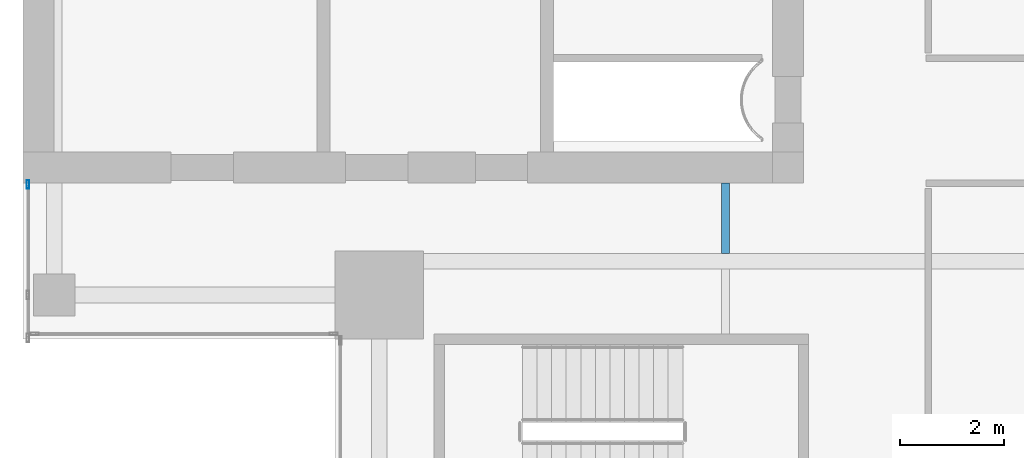
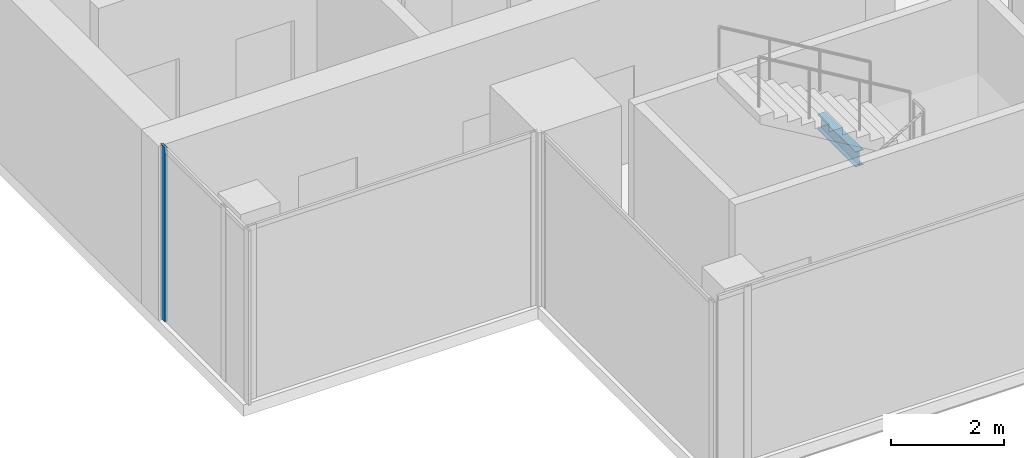
# One storey, part 4 of 29: 1 beam, 1 member, 1 element without a shape of its own.
"""IFC4 building model written with IfcOpenShell, lengths in metres."""

from ifc_helpers import new_model, si_unit, direction, frame, origin, origin_2d, place, context, subcontext, project, spatial, hollow_rectangle, i_section, extrude, source, transform, mapped, material, material_profile, profile_set, type_object, element, aggregate, save


model = new_model("IFC4")

# Units and contexts
model_context = context("Model", 3, precision=1e-05, world=origin(), true_north=direction((0.0, 1.0)))
body_context = subcontext(model_context, "Body", "Model", "MODEL_VIEW")
ifc_project = project(units=[si_unit("LENGTHUNIT", "METRE"), si_unit("AREAUNIT", "SQUARE_METRE"), si_unit("VOLUMEUNIT", "CUBIC_METRE"), si_unit("PLANEANGLEUNIT", "RADIAN"), si_unit("MASSUNIT", "GRAM", prefix="KILO")], contexts=[model_context])

# Site, building, storey
site_placement = place(None, origin())
site = spatial("IfcSite", under=ifc_project, at=site_placement, CompositionType="ELEMENT")
building_placement = place(site_placement, origin())
building = spatial("IfcBuilding", under=site, at=building_placement, Name="Khomas Fold Tower", CompositionType="ELEMENT")
storey_placement = place(building_placement, frame((0.0, 0.0, 314.199951171875)))
storey = spatial("IfcBuildingStorey", under=building, at=storey_placement, Name="L71", CompositionType="ELEMENT", Elevation=314.199951171875)

# Beam
ifc_material_1 = material(Name="Steel S355", Category="steel")
ifc_material_profile_1 = material_profile(ifc_material_1, i_section(OverallWidth=0.159912109375, OverallDepth=0.330078125, WebThickness=0.007568359375, FlangeThickness=0.011474609375, at=origin_2d()), Name="IPE 330")
ifc_profile_set_1 = profile_set([ifc_material_profile_1], Name="Steel S355")
beam_type = type_object("IfcBeamType", Name="IPE 330 beam JB1", PredefinedType="BEAM", material=ifc_profile_set_1)
shared_shape_1 = source(origin(), body_context, "Body", "SweptSolid", [
    extrude(i_section(OverallWidth=0.159912109375, OverallDepth=0.330078125, WebThickness=0.007568359375, FlangeThickness=0.011474609375, at=origin_2d()), origin(), (0.0, 0.0, 1.0), 1.35009765625),
])
beam_placement = place(storey_placement, frame((19.5, 13.64990234375, -0.4150390625), z_axis=(0.0, 1.0, 0.0), x_axis=(-1.0, 0.0, 0.0)))
element("IfcBeam", 1, at=beam_placement, inside=storey, type_object=beam_type, Name="JB1", PredefinedType="BEAM", context=body_context, shape_type="MappedRepresentation", body=[
    mapped(shared_shape_1, transform((0.0, 0.0, 0.0))),
])

# Curtain wall, member
ifc_material_2 = material(Name="Aluminium framed double glazing", Category="aluminium")
curtain_wall_type = type_object("IfcCurtainWallType", Name="SK-Unitised clear-glass wall, upper floors CW3", PredefinedType="NOTDEFINED", material=ifc_material_2)
curtain_wall_placement = place(storey_placement, origin())
curtain_wall = element("IfcCurtainWall", 2, at=curtain_wall_placement, inside=storey, type_object=curtain_wall_type, Name="CW3 run L71 09-1", PredefinedType="NOTDEFINED")
ifc_material_3 = material(Name="Aluminium", Category="aluminium")
ifc_material_profile_2 = material_profile(ifc_material_3, hollow_rectangle(XDim=0.050048828125, YDim=0.159912109375, WallThickness=0.00390625, at=origin_2d()), Name="SK-Unitised clear-glass wall, upper floors mullion CW3-M")
ifc_profile_set_2 = profile_set([ifc_material_profile_2], Name="Aluminium")
member_type = type_object("IfcMemberType", Name="SK-Unitised clear-glass wall, upper floors mullion CW3-M", PredefinedType="MULLION", material=ifc_profile_set_2)
shared_shape_2 = source(origin(), body_context, "Body", "SweptSolid", [
    extrude(hollow_rectangle(XDim=0.050048828125, YDim=0.159912109375, WallThickness=0.00390625, at=origin_2d()), origin(), (0.0, 0.0, 1.0), 3.75),
])
member_placement = place(storey_placement, frame((6.10009765625, 14.97509765625, 0.0), z_axis=(0.0, 0.0, 1.0), x_axis=(1.0, 0.0, 0.0)))
member = element("IfcMember", 3, at=member_placement, type_object=member_type, Name="CW3 mullion 1", PredefinedType="MULLION", context=body_context, shape_type="MappedRepresentation", body=[
    mapped(shared_shape_2, transform((0.0, 0.0, 0.0))),
])
aggregate(curtain_wall, [member])

save(model, "model.ifc")
